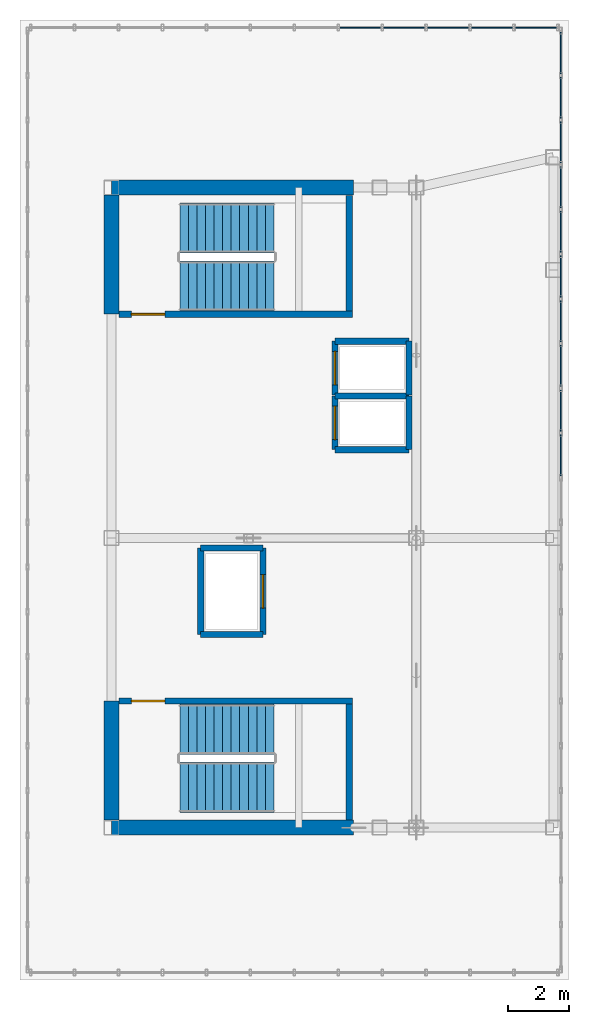
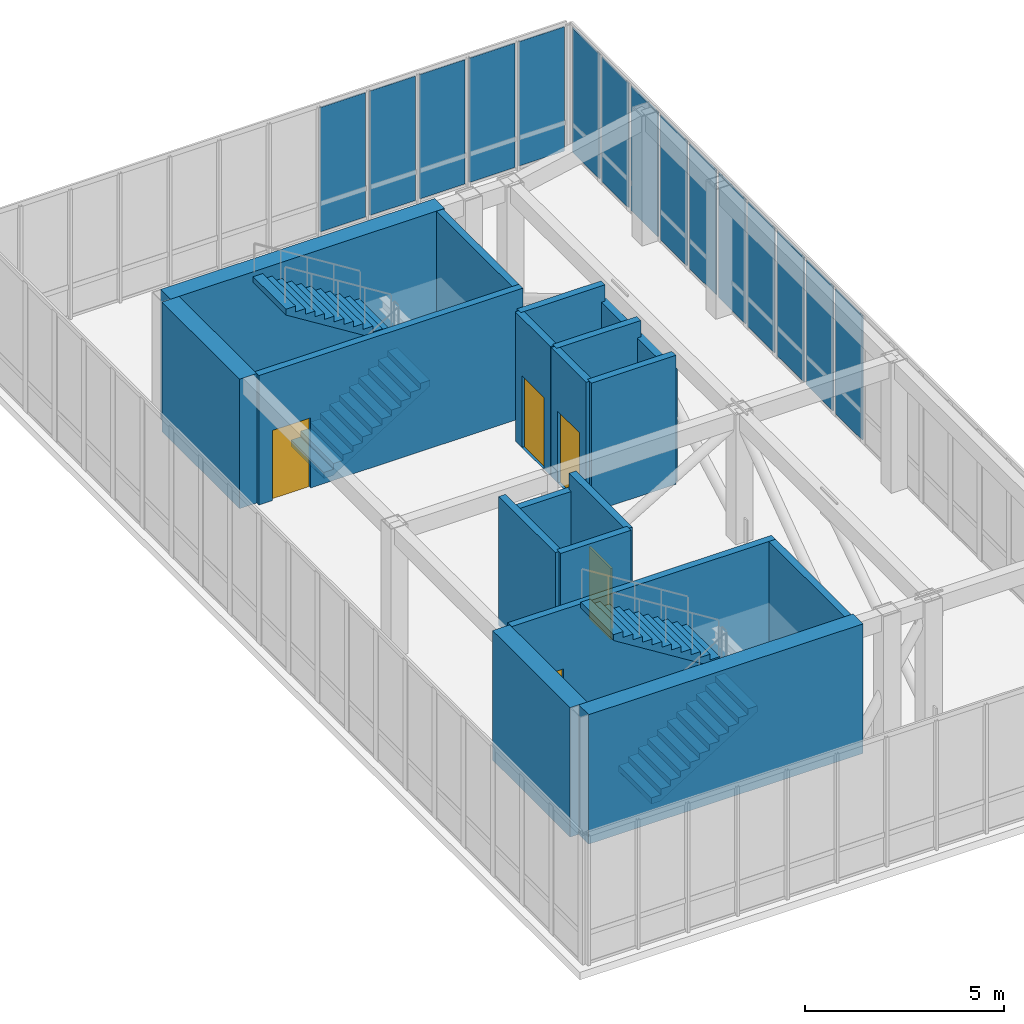
# One storey, part 12 of 13: 19 walls, 15 plates, 5 doors, 4 stair flights, 5 openings, 4 elements without a shape of their own.
"""IFC4 building model written with IfcOpenShell, lengths in metres."""

from ifc_helpers import new_model, si_unit, direction, frame, frame_2d, origin, origin_2d, place, context, subcontext, project, spatial, polyline, rectangle, outline, extrude, source, transform, mapped, material, layer, layer_set, type_object, element, fill, aggregate, save


model = new_model("IFC4")

# Units and contexts
model_context = context("Model", 3, precision=1e-05, world=origin(), true_north=direction((0.0, 1.0)))
body_context = subcontext(model_context, "Body", "Model", "MODEL_VIEW")
ifc_project = project(units=[si_unit("LENGTHUNIT", "METRE"), si_unit("AREAUNIT", "SQUARE_METRE"), si_unit("VOLUMEUNIT", "CUBIC_METRE"), si_unit("PLANEANGLEUNIT", "RADIAN"), si_unit("MASSUNIT", "GRAM", prefix="KILO")], contexts=[model_context])

# Site, building, storey
site_placement = place(None, origin())
site = spatial("IfcSite", under=ifc_project, at=site_placement, CompositionType="ELEMENT")
building_placement = place(site_placement, origin())
building = spatial("IfcBuilding", under=site, at=building_placement, Name="Kharzan Plaza Tower", CompositionType="ELEMENT")
storey_placement = place(building_placement, frame((0.0, 0.0, 281.39990234375)))
storey = spatial("IfcBuildingStorey", under=building, at=storey_placement, Name="L76-CROWN", CompositionType="ELEMENT", Elevation=281.39990234375)

# Curtain wall, plates
ifc_material_1 = material(Name="Unitised Bronze-Anodized Aluminium and Low-E Glass", Category="aluminium")
ifc_layer_1 = layer(ifc_material_1, 0.199951171875)
ifc_layer_set_1 = layer_set([ifc_layer_1], Name="Unitised Bronze-Anodized Aluminium and Low-E Glass")
curtain_wall_type = type_object("IfcCurtainWallType", Name="CW-LANTERN-6", PredefinedType="NOTDEFINED", material=ifc_layer_set_1)
curtain_wall_1_placement = place(storey_placement, origin())
curtain_wall_1 = element("IfcCurtainWall", 1, at=curtain_wall_1_placement, inside=storey, type_object=curtain_wall_type, Name="L76-CROWN Lantern Crown Illuminated Curtain Wall 3", PredefinedType="NOTDEFINED")
ifc_material_2 = material(Name="Low-Iron Fritted Lantern Crown Glazing", Category="glass")
ifc_layer_2 = layer(ifc_material_2, 0.035888671875)
ifc_layer_set_2 = layer_set([ifc_layer_2], Name="Low-Iron Fritted Lantern Crown Glazing")
plate_type = type_object("IfcPlateType", Name="PLT-CW-LANTERN", PredefinedType="CURTAIN_PANEL", material=ifc_layer_set_2)
shared_shape_1 = source(origin(), body_context, "Body", "SweptSolid", [
    extrude(rectangle(XDim=1.32177734375, YDim=0.035888671875, at=origin_2d()), origin(), (0.0, 0.0, 1.0), 3.81005859375),
])
plate_1_placement = place(storey_placement, frame((18.42919921875, 34.75, 0.080078125), z_axis=(0.0, 0.0, 1.0), x_axis=(-1.0, 0.0, 0.0)))
plate_1 = element("IfcPlate", 2, at=plate_1_placement, type_object=plate_type, Name="L76-CROWN Curtain-Wall Glazed Panel 00", PredefinedType="CURTAIN_PANEL", context=body_context, shape_type="MappedRepresentation", body=[
    mapped(shared_shape_1, transform((0.0, 0.0, 0.0), x_axis=(1.0, 0.0, 0.0), y_axis=(0.0, 1.0, 0.0), z_axis=(0.0, 0.0, 1.0))),
])
plate_2_placement = place(storey_placement, frame((16.987548828125, 34.75, 0.080078125), z_axis=(0.0, 0.0, 1.0), x_axis=(-1.0, 0.0, 0.0)))
plate_2 = element("IfcPlate", 3, at=plate_2_placement, type_object=plate_type, Name="L76-CROWN Curtain-Wall Glazed Panel 01", PredefinedType="CURTAIN_PANEL", context=body_context, shape_type="MappedRepresentation", body=[
    mapped(shared_shape_1, transform((0.0, 0.0, 0.0), x_axis=(1.0, 0.0, 0.0), y_axis=(0.0, 1.0, 0.0), z_axis=(0.0, 0.0, 1.0))),
])
plate_3_placement = place(storey_placement, frame((15.5458984375, 34.75, 0.080078125), z_axis=(0.0, 0.0, 1.0), x_axis=(-1.0, 0.0, 0.0)))
plate_3 = element("IfcPlate", 4, at=plate_3_placement, type_object=plate_type, Name="L76-CROWN Curtain-Wall Glazed Panel 02", PredefinedType="CURTAIN_PANEL", context=body_context, shape_type="MappedRepresentation", body=[
    mapped(shared_shape_1, transform((0.0, 0.0, 0.0), x_axis=(1.0, 0.0, 0.0), y_axis=(0.0, 1.0, 0.0), z_axis=(0.0, 0.0, 1.0))),
])
plate_4_placement = place(storey_placement, frame((14.104248046875, 34.75, 0.080078125), z_axis=(0.0, 0.0, 1.0), x_axis=(-1.0, 0.0, 0.0)))
plate_4 = element("IfcPlate", 5, at=plate_4_placement, type_object=plate_type, Name="L76-CROWN Curtain-Wall Glazed Panel 03", PredefinedType="CURTAIN_PANEL", context=body_context, shape_type="MappedRepresentation", body=[
    mapped(shared_shape_1, transform((0.0, 0.0, 0.0), x_axis=(1.0, 0.0, 0.0), y_axis=(0.0, 1.0, 0.0), z_axis=(0.0, 0.0, 1.0))),
])
plate_5_placement = place(storey_placement, frame((12.66259765625, 34.75, 0.080078125), z_axis=(0.0, 0.0, 1.0), x_axis=(-1.0, 0.0, 0.0)))
plate_5 = element("IfcPlate", 6, at=plate_5_placement, type_object=plate_type, Name="L76-CROWN Curtain-Wall Glazed Panel 04", PredefinedType="CURTAIN_PANEL", context=body_context, shape_type="MappedRepresentation", body=[
    mapped(shared_shape_1, transform((0.0, 0.0, 0.0), x_axis=(1.0, 0.0, 0.0), y_axis=(0.0, 1.0, 0.0), z_axis=(0.0, 0.0, 1.0))),
])
aggregate(curtain_wall_1, [plate_1, plate_2, plate_3, plate_4, plate_5])

curtain_wall_2_placement = place(storey_placement, origin())
curtain_wall_2 = element("IfcCurtainWall", 7, at=curtain_wall_2_placement, inside=storey, type_object=curtain_wall_type, Name="L76-CROWN Lantern Crown Illuminated Curtain Wall 2", PredefinedType="NOTDEFINED")
shared_shape_2 = source(origin(), body_context, "Body", "SweptSolid", [
    extrude(rectangle(XDim=1.3466796875, YDim=0.035888671875, at=origin_2d()), origin(), (0.0, 0.0, 1.0), 3.81005859375),
])
plate_6_placement = place(storey_placement, frame((19.25, 20.716796875, 0.080078125), z_axis=(0.0, 0.0, 1.0), x_axis=(0.0, 1.0, 0.0)))
plate_6 = element("IfcPlate", 8, at=plate_6_placement, type_object=plate_type, Name="L76-CROWN Curtain-Wall Glazed Panel 11", PredefinedType="CURTAIN_PANEL", context=body_context, shape_type="MappedRepresentation", body=[
    mapped(shared_shape_2, transform((0.0, 0.0, 0.0), x_axis=(1.0, 0.0, 0.0), y_axis=(0.0, 1.0, 0.0), z_axis=(0.0, 0.0, 1.0))),
])
plate_7_placement = place(storey_placement, frame((19.25, 22.183349609375, 0.080078125), z_axis=(0.0, 0.0, 1.0), x_axis=(0.0, 1.0, 0.0)))
plate_7 = element("IfcPlate", 9, at=plate_7_placement, type_object=plate_type, Name="L76-CROWN Curtain-Wall Glazed Panel 12", PredefinedType="CURTAIN_PANEL", context=body_context, shape_type="MappedRepresentation", body=[
    mapped(shared_shape_2, transform((0.0, 0.0, 0.0), x_axis=(1.0, 0.0, 0.0), y_axis=(0.0, 1.0, 0.0), z_axis=(0.0, 0.0, 1.0))),
])
plate_8_placement = place(storey_placement, frame((19.25, 23.64990234375, 0.080078125), z_axis=(0.0, 0.0, 1.0), x_axis=(0.0, 1.0, 0.0)))
plate_8 = element("IfcPlate", 10, at=plate_8_placement, type_object=plate_type, Name="L76-CROWN Curtain-Wall Glazed Panel 13", PredefinedType="CURTAIN_PANEL", context=body_context, shape_type="MappedRepresentation", body=[
    mapped(shared_shape_2, transform((0.0, 0.0, 0.0), x_axis=(1.0, 0.0, 0.0), y_axis=(0.0, 1.0, 0.0), z_axis=(0.0, 0.0, 1.0))),
])
plate_9_placement = place(storey_placement, frame((19.25, 25.11669921875, 0.080078125), z_axis=(0.0, 0.0, 1.0), x_axis=(0.0, 1.0, 0.0)))
plate_9 = element("IfcPlate", 11, at=plate_9_placement, type_object=plate_type, Name="L76-CROWN Curtain-Wall Glazed Panel 14", PredefinedType="CURTAIN_PANEL", context=body_context, shape_type="MappedRepresentation", body=[
    mapped(shared_shape_2, transform((0.0, 0.0, 0.0), x_axis=(1.0, 0.0, 0.0), y_axis=(0.0, 1.0, 0.0), z_axis=(0.0, 0.0, 1.0))),
])
plate_10_placement = place(storey_placement, frame((19.25, 26.583251953125, 0.080078125), z_axis=(0.0, 0.0, 1.0), x_axis=(0.0, 1.0, 0.0)))
plate_10 = element("IfcPlate", 12, at=plate_10_placement, type_object=plate_type, Name="L76-CROWN Curtain-Wall Glazed Panel 15", PredefinedType="CURTAIN_PANEL", context=body_context, shape_type="MappedRepresentation", body=[
    mapped(shared_shape_2, transform((0.0, 0.0, 0.0), x_axis=(1.0, 0.0, 0.0), y_axis=(0.0, 1.0, 0.0), z_axis=(0.0, 0.0, 1.0))),
])
plate_11_placement = place(storey_placement, frame((19.25, 28.050048828125, 0.080078125), z_axis=(0.0, 0.0, 1.0), x_axis=(0.0, 1.0, 0.0)))
plate_11 = element("IfcPlate", 13, at=plate_11_placement, type_object=plate_type, Name="L76-CROWN Curtain-Wall Glazed Panel 16", PredefinedType="CURTAIN_PANEL", context=body_context, shape_type="MappedRepresentation", body=[
    mapped(shared_shape_2, transform((0.0, 0.0, 0.0), x_axis=(1.0, 0.0, 0.0), y_axis=(0.0, 1.0, 0.0), z_axis=(0.0, 0.0, 1.0))),
])
plate_12_placement = place(storey_placement, frame((19.25, 29.5166015625, 0.080078125), z_axis=(0.0, 0.0, 1.0), x_axis=(0.0, 1.0, 0.0)))
plate_12 = element("IfcPlate", 14, at=plate_12_placement, type_object=plate_type, Name="L76-CROWN Curtain-Wall Glazed Panel 17", PredefinedType="CURTAIN_PANEL", context=body_context, shape_type="MappedRepresentation", body=[
    mapped(shared_shape_2, transform((0.0, 0.0, 0.0), x_axis=(1.0, 0.0, 0.0), y_axis=(0.0, 1.0, 0.0), z_axis=(0.0, 0.0, 1.0))),
])
plate_13_placement = place(storey_placement, frame((19.25, 30.9833984375, 0.080078125), z_axis=(0.0, 0.0, 1.0), x_axis=(0.0, 1.0, 0.0)))
plate_13 = element("IfcPlate", 15, at=plate_13_placement, type_object=plate_type, Name="L76-CROWN Curtain-Wall Glazed Panel 18", PredefinedType="CURTAIN_PANEL", context=body_context, shape_type="MappedRepresentation", body=[
    mapped(shared_shape_2, transform((0.0, 0.0, 0.0), x_axis=(1.0, 0.0, 0.0), y_axis=(0.0, 1.0, 0.0), z_axis=(0.0, 0.0, 1.0))),
])
plate_14_placement = place(storey_placement, frame((19.25, 32.449951171875, 0.080078125), z_axis=(0.0, 0.0, 1.0), x_axis=(0.0, 1.0, 0.0)))
plate_14 = element("IfcPlate", 16, at=plate_14_placement, type_object=plate_type, Name="L76-CROWN Curtain-Wall Glazed Panel 19", PredefinedType="CURTAIN_PANEL", context=body_context, shape_type="MappedRepresentation", body=[
    mapped(shared_shape_2, transform((0.0, 0.0, 0.0), x_axis=(1.0, 0.0, 0.0), y_axis=(0.0, 1.0, 0.0), z_axis=(0.0, 0.0, 1.0))),
])
plate_15_placement = place(storey_placement, frame((19.25, 33.916748046875, 0.080078125), z_axis=(0.0, 0.0, 1.0), x_axis=(0.0, 1.0, 0.0)))
plate_15 = element("IfcPlate", 17, at=plate_15_placement, type_object=plate_type, Name="L76-CROWN Curtain-Wall Glazed Panel 20", PredefinedType="CURTAIN_PANEL", context=body_context, shape_type="MappedRepresentation", body=[
    mapped(shared_shape_2, transform((0.0, 0.0, 0.0), x_axis=(1.0, 0.0, 0.0), y_axis=(0.0, 1.0, 0.0), z_axis=(0.0, 0.0, 1.0))),
])
aggregate(curtain_wall_2, [plate_6, plate_7, plate_8, plate_9, plate_10, plate_11, plate_12, plate_13, plate_14, plate_15])

# Wall, opening, door
ifc_material_3 = material(Name="Concrete C40/50", Category="concrete")
ifc_layer_3 = layer(ifc_material_3, 0.199951171875)
ifc_layer_set_3 = layer_set([ifc_layer_3], Name="Concrete C40/50")
wall_type_1 = type_object("IfcWallType", Name="WL-INT-SHAFT-200", PredefinedType="PARTITIONING", material=ifc_layer_set_3)
wall_1_placement = place(storey_placement, frame((11.830078125, 20.89990234375, 0.0), z_axis=(0.0, 0.0, 1.0), x_axis=(0.0, 1.0, 0.0)))
wall_1 = element("IfcWall", 18, at=wall_1_placement, inside=storey, type_object=wall_type_1, Name="L76-CROWN Interior Partition SHF-FFL-1-W", PredefinedType="PARTITIONING", context=body_context, shape_type="SweptSolid", body=[
    extrude(rectangle(XDim=1.760009765625, YDim=0.199951171875, at=frame_2d((0.8798828125, 0.0))), origin(), (0.0, 0.0, 1.0), 3.955078125),
])
opening_1_placement = place(wall_1_placement, frame((0.330078125, 0.0, 0.0)))
opening_1 = element("IfcOpeningElement", 19, at=opening_1_placement, cuts=wall_1, Name="Opening LD", PredefinedType="OPENING", context=body_context, shape_type="SweptSolid", body=[
    extrude(rectangle(XDim=1.10009765625, YDim=2.199951171875, at=frame_2d((0.550048828125, 1.10009765625))), frame((0.0, 0.10986328125, 0.0), z_axis=(0.0, -1.0, 0.0), x_axis=(1.0, 0.0, 0.0)), (0.0, 0.0, 1.0), 0.219970703125),
])
ifc_material_4 = material(Name="Brushed Stainless Steel", Category="steel")
door_type_1 = type_object("IfcDoorType", Name="DR-LIFT-SLIDE", OperationType="SLIDING_TO_LEFT", PredefinedType="DOOR", material=ifc_material_4)
shared_shape_3 = source(origin(), body_context, "Body", "SweptSolid", [
    extrude(rectangle(XDim=1.10009765625, YDim=2.199951171875, at=frame_2d((0.550048828125, 1.10009765625))), frame((0.0, 0.02490234375, 0.0), z_axis=(0.0, -1.0, 0.0), x_axis=(1.0, 0.0, 0.0)), (0.0, 0.0, 1.0), 0.050048828125),
])
door_1_placement = place(opening_1_placement, origin())
door_1 = element("IfcDoor", 20, at=door_1_placement, inside=storey, type_object=door_type_1, Name="L76-CROWN Firefighting Lift FFL-1 Sliding Landing Door", OperationType="SLIDING_TO_LEFT", OverallHeight=2.199951171875, OverallWidth=1.10009765625, PredefinedType="DOOR", context=body_context, shape_type="MappedRepresentation", body=[
    mapped(shared_shape_3, transform((0.0, 0.0, 0.0), x_axis=(1.0, 0.0, 0.0), y_axis=(0.0, 1.0, 0.0), z_axis=(0.0, 0.0, 1.0))),
])
fill(opening_1, door_1)

wall_2_placement = place(storey_placement, frame((11.830078125, 22.699951171875, 0.0), z_axis=(0.0, 0.0, 1.0), x_axis=(0.0, 1.0, 0.0)))
wall_2 = element("IfcWall", 21, at=wall_2_placement, inside=storey, type_object=wall_type_1, Name="L76-CROWN Interior Partition SHF-FFL-2-W", PredefinedType="PARTITIONING", context=body_context, shape_type="SweptSolid", body=[
    extrude(rectangle(XDim=1.760009765625, YDim=0.199951171875, at=frame_2d((0.8798828125, 0.0))), origin(), (0.0, 0.0, 1.0), 3.955078125),
])
opening_2_placement = place(wall_2_placement, frame((0.330078125, 0.0, 0.0)))
opening_2 = element("IfcOpeningElement", 22, at=opening_2_placement, cuts=wall_2, Name="Opening LD", PredefinedType="OPENING", context=body_context, shape_type="SweptSolid", body=[
    extrude(rectangle(XDim=1.10009765625, YDim=2.199951171875, at=frame_2d((0.550048828125, 1.10009765625))), frame((0.0, 0.10986328125, 0.0), z_axis=(0.0, -1.0, 0.0), x_axis=(1.0, 0.0, 0.0)), (0.0, 0.0, 1.0), 0.219970703125),
])
door_2_placement = place(opening_2_placement, origin())
door_2 = element("IfcDoor", 23, at=door_2_placement, inside=storey, type_object=door_type_1, Name="L76-CROWN Firefighting Lift FFL-2 Sliding Landing Door", OperationType="SLIDING_TO_LEFT", OverallHeight=2.199951171875, OverallWidth=1.10009765625, PredefinedType="DOOR", context=body_context, shape_type="MappedRepresentation", body=[
    mapped(shared_shape_3, transform((0.0, 0.0, 0.0), x_axis=(1.0, 0.0, 0.0), y_axis=(0.0, 1.0, 0.0), z_axis=(0.0, 0.0, 1.0))),
])
fill(opening_2, door_2)

wall_3_placement = place(storey_placement, frame((9.469970703125, 14.830078125, 0.0), z_axis=(0.0, 0.0, 1.0), x_axis=(0.0, 1.0, 0.0)))
wall_3 = element("IfcWall", 24, at=wall_3_placement, inside=storey, type_object=wall_type_1, Name="L76-CROWN Interior Partition SHF-SVL-1-E", PredefinedType="PARTITIONING", context=body_context, shape_type="SweptSolid", body=[
    extrude(rectangle(XDim=2.83984375, YDim=0.199951171875, at=frame_2d((1.419921875, 0.0))), origin(), (0.0, 0.0, 1.0), 3.955078125),
])
opening_3_placement = place(wall_3_placement, frame((0.8701171875, 0.0, 0.0)))
opening_3 = element("IfcOpeningElement", 25, at=opening_3_placement, cuts=wall_3, Name="Opening LD", PredefinedType="OPENING", context=body_context, shape_type="SweptSolid", body=[
    extrude(rectangle(XDim=1.10009765625, YDim=2.199951171875, at=frame_2d((0.550048828125, 1.10009765625))), frame((0.0, 0.10986328125, 0.0), z_axis=(0.0, -1.0, 0.0), x_axis=(1.0, 0.0, 0.0)), (0.0, 0.0, 1.0), 0.219970703125),
])
door_3_placement = place(opening_3_placement, origin())
door_3 = element("IfcDoor", 26, at=door_3_placement, inside=storey, type_object=door_type_1, Name="L76-CROWN Service Lift SVL-1 Sliding Landing Door", OperationType="SLIDING_TO_LEFT", OverallHeight=2.199951171875, OverallWidth=1.10009765625, PredefinedType="DOOR", context=body_context, shape_type="MappedRepresentation", body=[
    mapped(shared_shape_3, transform((0.0, 0.0, 0.0), x_axis=(1.0, 0.0, 0.0), y_axis=(0.0, 1.0, 0.0), z_axis=(0.0, 0.0, 1.0))),
])
fill(opening_3, door_3)

ifc_material_5 = material(Name="Concrete C50/60", Category="concrete")
ifc_layer_4 = layer(ifc_material_5, 0.199951171875)
ifc_layer_set_4 = layer_set([ifc_layer_4], Name="Concrete C50/60")
wall_type_2 = type_object("IfcWallType", Name="WL-SHAFT-RC200", PredefinedType="SHEAR", material=ifc_layer_set_4)
wall_4_placement = place(storey_placement, frame((4.751953125, 12.655029296875, 0.0), z_axis=(0.0, 0.0, 1.0), x_axis=(1.0, 0.0, 0.0)))
wall_4 = element("IfcWall", 27, at=wall_4_placement, inside=storey, type_object=wall_type_2, Name="L76-CROWN Stair ST-1 North RC Shaft Wall", PredefinedType="SHEAR", context=body_context, shape_type="SweptSolid", body=[
    extrude(rectangle(XDim=7.653076171875, YDim=0.199951171875, at=frame_2d((3.82666015625, 0.0))), origin(), (0.0, 0.0, 1.0), 3.97021484375),
])
opening_4_placement = place(wall_4_placement, frame((0.39990234375, 0.0, 0.0)))
opening_4 = element("IfcOpeningElement", 28, at=opening_4_placement, cuts=wall_4, Name="Opening SD1", PredefinedType="OPENING", context=body_context, shape_type="SweptSolid", body=[
    extrude(rectangle(XDim=1.10009765625, YDim=2.14990234375, at=frame_2d((0.550048828125, 1.074951171875))), frame((0.0, 0.10986328125, 0.0), z_axis=(0.0, -1.0, 0.0), x_axis=(1.0, 0.0, 0.0)), (0.0, 0.0, 1.0), 0.219970703125),
])
ifc_material_6 = material(Name="Fire-Rated Hollow Galvanized Steel", Category="steel")
door_type_2 = type_object("IfcDoorType", Name="DR-STAIR-FD120", OperationType="NOTDEFINED", PredefinedType="DOOR", material=ifc_material_6)
shared_shape_4 = source(origin(), body_context, "Body", "SweptSolid", [
    extrude(rectangle(XDim=1.10009765625, YDim=2.14990234375, at=frame_2d((0.550048828125, 1.074951171875))), frame((0.0, 0.02490234375, 0.0), z_axis=(0.0, -1.0, 0.0), x_axis=(1.0, 0.0, 0.0)), (0.0, 0.0, 1.0), 0.050048828125),
])
door_4_placement = place(opening_4_placement, origin())
door_4 = element("IfcDoor", 29, at=door_4_placement, inside=storey, type_object=door_type_2, Name="L76-CROWN Stair ST-1 Fire Exit Door", OperationType="SINGLE_SWING_RIGHT", OverallHeight=2.14990234375, OverallWidth=1.10009765625, PredefinedType="DOOR", context=body_context, shape_type="MappedRepresentation", body=[
    mapped(shared_shape_4, transform((0.0, 0.0, 0.0), x_axis=(1.0, 0.0, 0.0), y_axis=(0.0, 1.0, 0.0), z_axis=(0.0, 0.0, 1.0))),
])
fill(opening_4, door_4)

wall_5_placement = place(storey_placement, frame((4.751953125, 25.344970703125, 0.0), z_axis=(0.0, 0.0, 1.0), x_axis=(1.0, 0.0, 0.0)))
wall_5 = element("IfcWall", 30, at=wall_5_placement, inside=storey, type_object=wall_type_2, Name="L76-CROWN Stair ST-2 South RC Shaft Wall", PredefinedType="SHEAR", context=body_context, shape_type="SweptSolid", body=[
    extrude(rectangle(XDim=7.653076171875, YDim=0.199951171875, at=frame_2d((3.82666015625, 0.0))), origin(), (0.0, 0.0, 1.0), 3.97021484375),
])
opening_5_placement = place(wall_5_placement, frame((0.39990234375, 0.0, 0.0)))
opening_5 = element("IfcOpeningElement", 31, at=opening_5_placement, cuts=wall_5, Name="Opening SD1", PredefinedType="OPENING", context=body_context, shape_type="SweptSolid", body=[
    extrude(rectangle(XDim=1.10009765625, YDim=2.14990234375, at=frame_2d((0.550048828125, 1.074951171875))), frame((0.0, 0.10986328125, 0.0), z_axis=(0.0, -1.0, 0.0), x_axis=(1.0, 0.0, 0.0)), (0.0, 0.0, 1.0), 0.219970703125),
])
door_5_placement = place(opening_5_placement, origin())
door_5 = element("IfcDoor", 32, at=door_5_placement, inside=storey, type_object=door_type_2, Name="L76-CROWN Stair ST-2 Fire Exit Door", OperationType="SINGLE_SWING_LEFT", OverallHeight=2.14990234375, OverallWidth=1.10009765625, PredefinedType="DOOR", context=body_context, shape_type="MappedRepresentation", body=[
    mapped(shared_shape_4, transform((0.0, 0.0, 0.0), x_axis=(1.0, 0.0, 0.0), y_axis=(0.0, 1.0, 0.0), z_axis=(0.0, 0.0, 1.0))),
])
fill(opening_5, door_5)

# Walls
shared_shape_5 = source(origin(), body_context, "Body", "SweptSolid", [
    extrude(rectangle(XDim=1.760009765625, YDim=0.199951171875, at=frame_2d((0.8798828125, 0.0))), origin(), (0.0, 0.0, 1.0), 3.455078125),
])
for number, where, z_axis, x_axis, name in (
    (33, (14.27001953125, 20.89990234375, 0.0), (0.0, 0.0, 1.0), (0.0, 1.0, 0.0), "L76-CROWN Interior Partition SHF-FFL-1-E"),
    (34, (14.27001953125, 22.699951171875, 0.0), (0.0, 0.0, 1.0), (0.0, 1.0, 0.0), "L76-CROWN Interior Partition SHF-FFL-2-E"),
):
    element("IfcWall", number, at=place(storey_placement, frame(where, z_axis=z_axis, x_axis=x_axis)), inside=storey, type_object=wall_type_1, Name=name, PredefinedType="PARTITIONING", context=body_context, shape_type="MappedRepresentation", body=[
        mapped(shared_shape_5, transform((0.0, 0.0, 0.0), x_axis=(1.0, 0.0, 0.0), y_axis=(0.0, 1.0, 0.0), z_axis=(0.0, 0.0, 1.0))),
    ])
shared_shape_6 = source(origin(), body_context, "Body", "SweptSolid", [
    extrude(rectangle(XDim=2.43994140625, YDim=0.199951171875, at=frame_2d((1.219970703125, 0.0))), origin(), (0.0, 0.0, 1.0), 3.955078125),
])
for number, where, z_axis, x_axis, name in (
    (35, (11.830078125, 22.659912109375, 0.0), (0.0, 0.0, 1.0), (1.0, 0.0, 0.0), "L76-CROWN Interior Partition SHF-FFL-1-N"),
    (36, (11.830078125, 20.89990234375, 0.0), (0.0, 0.0, 1.0), (1.0, 0.0, 0.0), "L76-CROWN Interior Partition SHF-FFL-1-S"),
    (37, (11.830078125, 24.4599609375, 0.0), (0.0, 0.0, 1.0), (1.0, 0.0, 0.0), "L76-CROWN Interior Partition SHF-FFL-2-N"),
):
    element("IfcWall", number, at=place(storey_placement, frame(where, z_axis=z_axis, x_axis=x_axis)), inside=storey, type_object=wall_type_1, Name=name, PredefinedType="PARTITIONING", context=body_context, shape_type="MappedRepresentation", body=[
        mapped(shared_shape_6, transform((0.0, 0.0, 0.0), x_axis=(1.0, 0.0, 0.0), y_axis=(0.0, 1.0, 0.0), z_axis=(0.0, 0.0, 1.0))),
    ])
shared_shape_7 = source(origin(), body_context, "Body", "SweptSolid", [
    extrude(rectangle(XDim=2.0400390625, YDim=0.199951171875, at=frame_2d((1.02001953125, 0.0))), origin(), (0.0, 0.0, 1.0), 3.455078125),
])
wall_6_placement = place(storey_placement, frame((7.429931640625, 17.669921875, 0.0), z_axis=(0.0, 0.0, 1.0), x_axis=(1.0, 0.0, 0.0)))
element("IfcWall", 38, at=wall_6_placement, inside=storey, type_object=wall_type_1, Name="L76-CROWN Interior Partition SHF-SVL-1-N", PredefinedType="PARTITIONING", context=body_context, shape_type="MappedRepresentation", body=[
    mapped(shared_shape_7, transform((0.0, 0.0, 0.0), x_axis=(1.0, 0.0, 0.0), y_axis=(0.0, 1.0, 0.0), z_axis=(0.0, 0.0, 1.0))),
])
shared_shape_8 = source(origin(), body_context, "Body", "SweptSolid", [
    extrude(rectangle(XDim=2.0400390625, YDim=0.199951171875, at=frame_2d((1.02001953125, 0.0))), origin(), (0.0, 0.0, 1.0), 3.955078125),
])
wall_7_placement = place(storey_placement, frame((7.429931640625, 14.830078125, 0.0), z_axis=(0.0, 0.0, 1.0), x_axis=(1.0, 0.0, 0.0)))
element("IfcWall", 39, at=wall_7_placement, inside=storey, type_object=wall_type_1, Name="L76-CROWN Interior Partition SHF-SVL-1-S", PredefinedType="PARTITIONING", context=body_context, shape_type="MappedRepresentation", body=[
    mapped(shared_shape_8, transform((0.0, 0.0, 0.0), x_axis=(1.0, 0.0, 0.0), y_axis=(0.0, 1.0, 0.0), z_axis=(0.0, 0.0, 1.0))),
])
shared_shape_9 = source(origin(), body_context, "Body", "SweptSolid", [
    extrude(rectangle(XDim=2.83984375, YDim=0.199951171875, at=frame_2d((1.419921875, 0.0))), origin(), (0.0, 0.0, 1.0), 3.955078125),
])
wall_8_placement = place(storey_placement, frame((7.429931640625, 14.830078125, 0.0), z_axis=(0.0, 0.0, 1.0), x_axis=(0.0, 1.0, 0.0)))
element("IfcWall", 40, at=wall_8_placement, inside=storey, type_object=wall_type_1, Name="L76-CROWN Interior Partition SHF-SVL-1-W", PredefinedType="PARTITIONING", context=body_context, shape_type="MappedRepresentation", body=[
    mapped(shared_shape_9, transform((0.0, 0.0, 0.0), x_axis=(1.0, 0.0, 0.0), y_axis=(0.0, 1.0, 0.0), z_axis=(0.0, 0.0, 1.0))),
])
ifc_layer_5 = layer(ifc_material_5, 0.5)
ifc_layer_set_5 = layer_set([ifc_layer_5], Name="Concrete C50/60")
wall_type_3 = type_object("IfcWallType", Name="WL-CORE-500", PredefinedType="SHEAR", material=ifc_layer_set_5)
shared_shape_10 = source(origin(), body_context, "Body", "SweptSolid", [
    extrude(rectangle(XDim=7.949951171875, YDim=0.5, at=frame_2d((3.97509765625, 0.0))), origin(), (0.0, 0.0, 1.0), 3.97021484375),
])
for number, where, z_axis, x_axis, name in (
    (41, (4.5, 8.5, 0.0), (0.0, 0.0, 1.0), (1.0, 0.0, 0.0), "L76-CROWN Stair ST-1 South RC Shear Wall"),
    (42, (4.5, 29.5, 0.0), (0.0, 0.0, 1.0), (1.0, 0.0, 0.0), "L76-CROWN Stair ST-2 North RC Shear Wall"),
):
    element("IfcWall", number, at=place(storey_placement, frame(where, z_axis=z_axis, x_axis=x_axis)), inside=storey, type_object=wall_type_3, Name=name, PredefinedType="SHEAR", context=body_context, shape_type="MappedRepresentation", body=[
        mapped(shared_shape_10, transform((0.0, 0.0, 0.0), x_axis=(1.0, 0.0, 0.0), y_axis=(0.0, 1.0, 0.0), z_axis=(0.0, 0.0, 1.0))),
    ])
shared_shape_11 = source(origin(), body_context, "Body", "SweptSolid", [
    extrude(rectangle(XDim=3.89990234375, YDim=0.5, at=frame_2d((1.949951171875, 0.0))), origin(), (0.0, 0.0, 1.0), 3.97021484375),
])
for number, where, z_axis, x_axis, name in (
    (43, (4.5, 8.75, 0.0), (0.0, 0.0, 1.0), (0.0, 1.0, 0.0), "L76-CROWN Stair ST-1 West RC Shear Wall"),
    (44, (4.5, 25.35009765625, 0.0), (0.0, 0.0, 1.0), (0.0, 1.0, 0.0), "L76-CROWN Stair ST-2 West RC Shear Wall"),
):
    element("IfcWall", number, at=place(storey_placement, frame(where, z_axis=z_axis, x_axis=x_axis)), inside=storey, type_object=wall_type_3, Name=name, PredefinedType="SHEAR", context=body_context, shape_type="MappedRepresentation", body=[
        mapped(shared_shape_11, transform((0.0, 0.0, 0.0), x_axis=(1.0, 0.0, 0.0), y_axis=(0.0, 1.0, 0.0), z_axis=(0.0, 0.0, 1.0))),
    ])
shared_shape_12 = source(origin(), body_context, "Body", "SweptSolid", [
    extrude(rectangle(XDim=3.802978515625, YDim=0.199951171875, at=frame_2d((1.9013671875, 0.0))), origin(), (0.0, 0.0, 1.0), 3.97021484375),
])
for number, where, z_axis, x_axis, name in (
    (45, (12.304931640625, 8.751953125, 0.0), (0.0, 0.0, 1.0), (0.0, 1.0, 0.0), "L76-CROWN Stair ST-1 East RC Shaft Wall"),
    (46, (12.304931640625, 25.445068359375, 0.0), (0.0, 0.0, 1.0), (0.0, 1.0, 0.0), "L76-CROWN Stair ST-2 East RC Shaft Wall"),
):
    element("IfcWall", number, at=place(storey_placement, frame(where, z_axis=z_axis, x_axis=x_axis)), inside=storey, type_object=wall_type_2, Name=name, PredefinedType="SHEAR", context=body_context, shape_type="MappedRepresentation", body=[
        mapped(shared_shape_12, transform((0.0, 0.0, 0.0), x_axis=(1.0, 0.0, 0.0), y_axis=(0.0, 1.0, 0.0), z_axis=(0.0, 0.0, 1.0))),
    ])

# Stair, stair flights
stair_type_1 = type_object("IfcStairType", Name="STR-ST-1", PredefinedType="HALF_TURN_STAIR", material=ifc_material_3)
stair_1_placement = place(storey_placement, origin())
stair_1 = element("IfcStair", 47, at=stair_1_placement, inside=storey, type_object=stair_type_1, Name="L76-CROWN Protected Exit Stair ST-1", PredefinedType="HALF_TURN_STAIR")
stair_flight_type = type_object("IfcStairFlightType", Name="SFL-1650-R173", PredefinedType="STRAIGHT", material=ifc_material_3)
shared_shape_13 = source(origin(), body_context, "Body", "SweptSolid", [
    extrude(outline(polyline([(-0.0029296875, -0.011962890625), (-0.0029296875, 0.0), (0.0, 0.0), (0.0, 0.175048828125), (0.280029296875, 0.175048828125), (0.280029296875, 0.35009765625), (0.56005859375, 0.35009765625), (0.56005859375, 0.525146484375), (0.840087890625, 0.525146484375), (0.840087890625, 0.7001953125), (1.1201171875, 0.7001953125), (1.1201171875, 0.875244140625), (1.400146484375, 0.875244140625), (1.400146484375, 1.05029296875), (1.68017578125, 1.05029296875), (1.68017578125, 1.225341796875), (1.960205078125, 1.225341796875), (1.960205078125, 1.400390625), (2.240234375, 1.400390625), (2.240234375, 1.575439453125), (2.520263671875, 1.575439453125), (2.520263671875, 1.75048828125), (2.80029296875, 1.75048828125), (2.80029296875, 1.925537109375), (3.080322265625, 1.925537109375), (3.080322265625, 2.1005859375), (3.080322265625, 1.748779296875), (0.28271484375, 0.0), (0.28271484375, -0.011962890625), (-0.0029296875, -0.011962890625)])), frame((0.0, 0.824951171875, 0.0), z_axis=(0.0, -1.0, 0.0), x_axis=(1.0, 0.0, 0.0)), (0.0, 0.0, 1.0), 1.64990234375),
])
stair_flight_1_placement = place(storey_placement, frame((6.75, 9.824951171875, 0.0), z_axis=(0.0, 0.0, 1.0), x_axis=(1.0, 0.0, 0.0)))
stair_flight_1 = element("IfcStairFlight", 48, at=stair_flight_1_placement, type_object=stair_flight_type, Name="ST-1 flight 1", NumberOfRisers=12, NumberOfTreads=11, PredefinedType="STRAIGHT", RiserHeight=0.175, TreadLength=0.28, context=body_context, shape_type="MappedRepresentation", body=[
    mapped(shared_shape_13, transform((0.0, 0.0, 0.0), x_axis=(1.0, 0.0, 0.0), y_axis=(0.0, 1.0, 0.0), z_axis=(0.0, 0.0, 1.0))),
])
stair_flight_2_placement = place(storey_placement, frame((9.830078125, 11.72509765625, 2.10009765625), z_axis=(0.0, 0.0, 1.0), x_axis=(-1.0, 0.0, 0.0)))
stair_flight_2 = element("IfcStairFlight", 49, at=stair_flight_2_placement, type_object=stair_flight_type, Name="ST-1 flight 2", NumberOfRisers=12, NumberOfTreads=11, PredefinedType="STRAIGHT", RiserHeight=0.175, TreadLength=0.28, context=body_context, shape_type="MappedRepresentation", body=[
    mapped(shared_shape_13, transform((0.0, 0.0, 0.0), x_axis=(1.0, 0.0, 0.0), y_axis=(0.0, 1.0, 0.0), z_axis=(0.0, 0.0, 1.0))),
])
aggregate(stair_1, [stair_flight_1, stair_flight_2])

stair_type_2 = type_object("IfcStairType", Name="STR-ST-2", PredefinedType="HALF_TURN_STAIR", material=ifc_material_3)
stair_2_placement = place(storey_placement, origin())
stair_2 = element("IfcStair", 50, at=stair_2_placement, inside=storey, type_object=stair_type_2, Name="L76-CROWN Protected Exit Stair ST-2", PredefinedType="HALF_TURN_STAIR")
stair_flight_3_placement = place(storey_placement, frame((6.75, 26.27490234375, 0.0), z_axis=(0.0, 0.0, 1.0), x_axis=(1.0, 0.0, 0.0)))
stair_flight_3 = element("IfcStairFlight", 51, at=stair_flight_3_placement, type_object=stair_flight_type, Name="ST-2 flight 1", NumberOfRisers=12, NumberOfTreads=11, PredefinedType="STRAIGHT", RiserHeight=0.175, TreadLength=0.28, context=body_context, shape_type="MappedRepresentation", body=[
    mapped(shared_shape_13, transform((0.0, 0.0, 0.0), x_axis=(1.0, 0.0, 0.0), y_axis=(0.0, 1.0, 0.0), z_axis=(0.0, 0.0, 1.0))),
])
stair_flight_4_placement = place(storey_placement, frame((9.830078125, 28.175048828125, 2.10009765625), z_axis=(0.0, 0.0, 1.0), x_axis=(-1.0, 0.0, 0.0)))
stair_flight_4 = element("IfcStairFlight", 52, at=stair_flight_4_placement, type_object=stair_flight_type, Name="ST-2 flight 2", NumberOfRisers=12, NumberOfTreads=11, PredefinedType="STRAIGHT", RiserHeight=0.175, TreadLength=0.28, context=body_context, shape_type="MappedRepresentation", body=[
    mapped(shared_shape_13, transform((0.0, 0.0, 0.0), x_axis=(1.0, 0.0, 0.0), y_axis=(0.0, 1.0, 0.0), z_axis=(0.0, 0.0, 1.0))),
])
aggregate(stair_2, [stair_flight_3, stair_flight_4])

save(model, "model.ifc")
